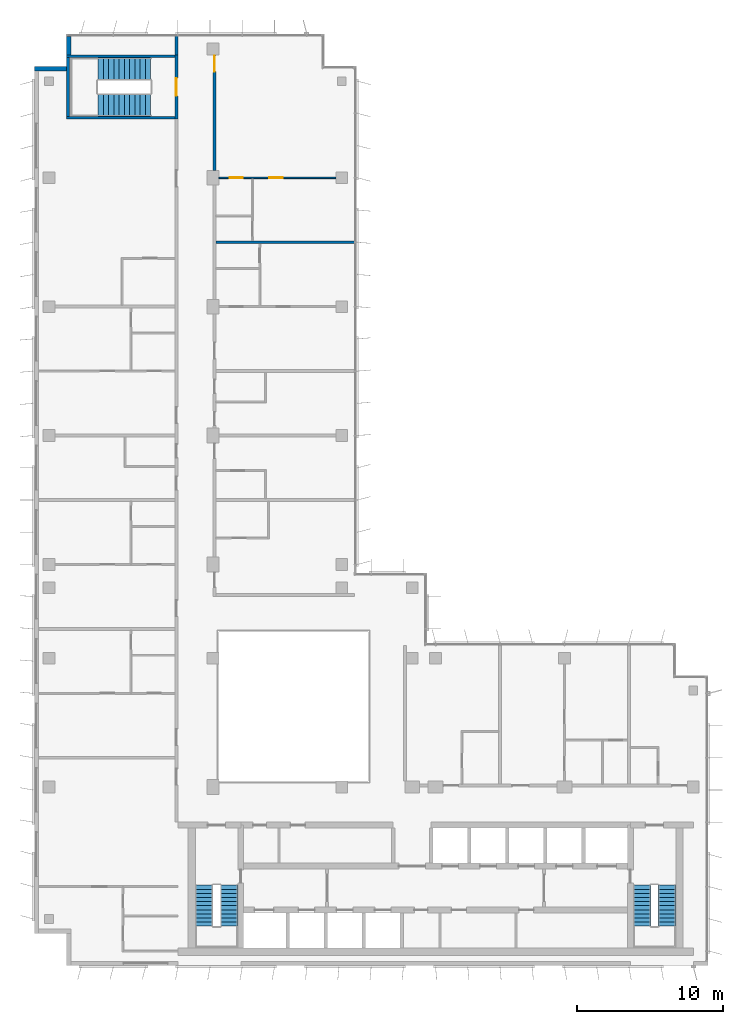
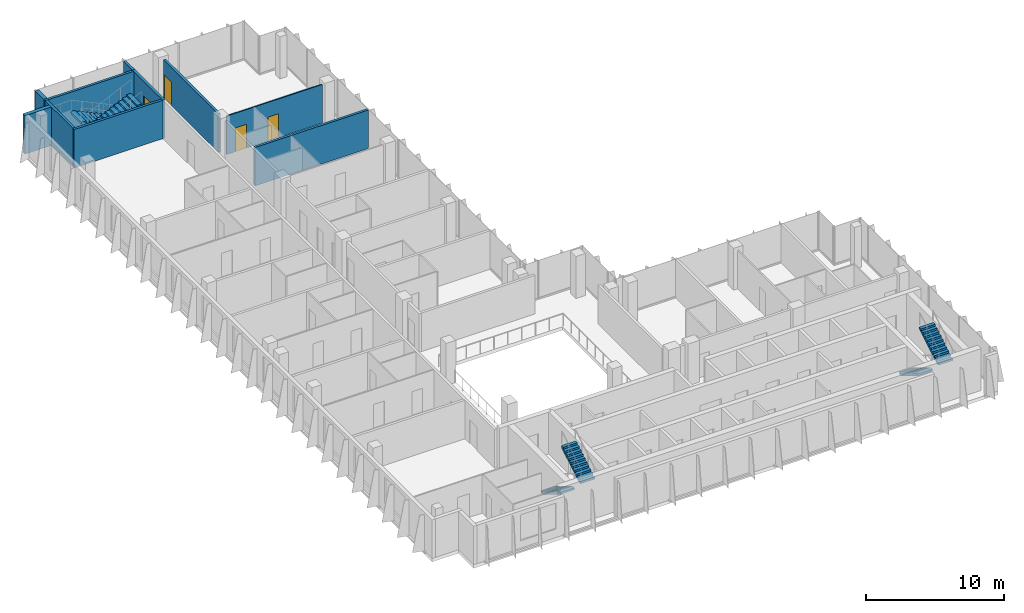
# One storey, part 13 of 16: 10 walls, 6 stair flights, 4 doors, 4 openings, 3 elements without a shape of their own.
"""IFC4 building model written with IfcOpenShell, lengths in metres."""

from ifc_helpers import new_model, si_unit, direction, frame, frame_2d, origin, place, context, subcontext, project, spatial, polyline, rectangle, outline, extrude, material, layer, layer_set, type_object, element, fill, aggregate, save


model = new_model("IFC4")

# Units and contexts
model_context = context("Model", 3, precision=1e-05, world=origin(), true_north=direction((0.0, 1.0)))
body_context = subcontext(model_context, "Body", "Model", "MODEL_VIEW")
ifc_project = project(units=[si_unit("LENGTHUNIT", "METRE"), si_unit("AREAUNIT", "SQUARE_METRE"), si_unit("VOLUMEUNIT", "CUBIC_METRE"), si_unit("PLANEANGLEUNIT", "RADIAN"), si_unit("MASSUNIT", "GRAM", prefix="KILO")], contexts=[model_context])

# Site, building, storey
site_placement = place(None, origin())
site = spatial("IfcSite", under=ifc_project, at=site_placement, CompositionType="ELEMENT")
building_placement = place(site_placement, origin())
building = spatial("IfcBuilding", under=site, at=building_placement, Name="Kemantara Hotel Tower", CompositionType="ELEMENT")
storey_placement = place(building_placement, frame((0.0, 0.0, 287.0)))
storey = spatial("IfcBuildingStorey", under=building, at=storey_placement, Name="L72", CompositionType="ELEMENT", Elevation=287.0)

# Walls
ifc_material_1 = material(Name="Bronze anodised aluminium cladding on insulated steel stud wall", Category="steel")
ifc_layer_1 = layer(ifc_material_1, 0.300048828125)
ifc_layer_set_1 = layer_set([ifc_layer_1], Name="Bronze anodised aluminium cladding on insulated steel stud wall")
wall_type_1 = type_object("IfcWallType", Name="BRONZE METAL-CLAD EXTERNAL WALL 300", PredefinedType="STANDARD", material=ifc_layer_set_1)
wall_1_placement = place(storey_placement, frame((2.35009765625, 63.449951171875, 0.0), z_axis=(0.0, 0.0, 1.0), x_axis=(0.0, -1.0, 0.0)))
element("IfcWall", 1, at=wall_1_placement, inside=storey, type_object=wall_type_1, Name="EXTERNAL WALL L72 T4-R03", PredefinedType="STANDARD", context=body_context, shape_type="SweptSolid", body=[
    extrude(rectangle(XDim=1.25, YDim=0.300048828125, at=frame_2d((0.625, 0.0))), origin(), (0.0, 0.0, 1.0), 3.39990234375),
])
wall_2_placement = place(storey_placement, frame((2.199951171875, 61.25, 0.0), z_axis=(0.0, 0.0, 1.0), x_axis=(-1.0, 0.0, 0.0)))
element("IfcWall", 2, at=wall_2_placement, inside=storey, type_object=wall_type_1, Name="EXTERNAL WALL L72 T4-R04", PredefinedType="STANDARD", context=body_context, shape_type="SweptSolid", body=[
    extrude(rectangle(XDim=2.199951171875, YDim=0.300048828125, at=frame_2d((1.10009765625, 0.0))), origin(), (0.0, 0.0, 1.0), 3.39990234375),
])
ifc_material_2 = material(Name="Gypsum board partition, steel studs and mineral wool, 200 mm", Category="steel")
ifc_layer_2 = layer(ifc_material_2, 0.199951171875)
ifc_layer_set_2 = layer_set([ifc_layer_2], Name="Gypsum board partition, steel studs and mineral wool, 200 mm")
wall_type_2 = type_object("IfcWallType", Name="CORRIDOR WALL 200", PredefinedType="PARTITIONING", material=ifc_layer_set_2)
wall_3_placement = place(storey_placement, frame((9.699951171875, 62.199951171875, 0.0), z_axis=(0.0, 0.0, 1.0), x_axis=(0.0, 1.0, 0.0)))
element("IfcWall", 3, at=wall_3_placement, inside=storey, type_object=wall_type_2, Name="CORRIDOR WALL 200 008", PredefinedType="PARTITIONING", context=body_context, shape_type="SweptSolid", body=[
    extrude(rectangle(XDim=1.280029296875, YDim=0.199951171875, at=frame_2d((0.64013671875, 0.0))), origin(), (0.0, 0.0, 1.0), 3.39990234375),
])

# Wall, opening, door
wall_4_placement = place(storey_placement, frame((12.300048828125, 62.199951171875, 0.0), z_axis=(0.0, 0.0, 1.0), x_axis=(0.0, -1.0, 0.0)))
wall_4 = element("IfcWall", 4, at=wall_4_placement, inside=storey, type_object=wall_type_2, Name="CORRIDOR WALL 200 020", PredefinedType="PARTITIONING", context=body_context, shape_type="SweptSolid", body=[
    extrude(rectangle(XDim=7.89990234375, YDim=0.199951171875, at=frame_2d((3.949951171875, 0.0))), origin(), (0.0, 0.0, 1.0), 3.39990234375),
])
opening_1_placement = place(wall_4_placement, frame((0.0498046875, 0.0, 0.0)))
opening_1 = element("IfcOpeningElement", 5, at=opening_1_placement, cuts=wall_4, Name="Opening F35-039", PredefinedType="OPENING", context=body_context, shape_type="SweptSolid", body=[
    extrude(rectangle(XDim=1.10009765625, YDim=2.10009765625, at=frame_2d((0.550048828125, 1.050048828125))), frame((0.0, 0.10986328125, 0.0), z_axis=(0.0, -1.0, 0.0), x_axis=(1.0, 0.0, 0.0)), (0.0, 0.0, 1.0), 0.219970703125),
])
ifc_material_3 = material(Name="Hardwood veneer door leaf with steel frame", Category="steel")
door_type_1 = type_object("IfcDoorType", Name="SUITE ENTRANCE DOOR 1100 X 2100 FD30S", OperationType="NOTDEFINED", PredefinedType="DOOR", material=ifc_material_3)
door_1_placement = place(opening_1_placement, origin())
door_1 = element("IfcDoor", 6, at=door_1_placement, inside=storey, type_object=door_type_1, Name="SUITE ENTRANCE DOOR F35-039", OperationType="SINGLE_SWING_LEFT", OverallHeight=2.10009765625, OverallWidth=1.10009765625, PredefinedType="DOOR", context=body_context, shape_type="SweptSolid", body=[
    extrude(rectangle(XDim=1.10009765625, YDim=2.10009765625, at=frame_2d((0.550048828125, 1.050048828125))), frame((0.0, 0.02490234375, 0.0), z_axis=(0.0, -1.0, 0.0), x_axis=(1.0, 0.0, 0.0)), (0.0, 0.0, 1.0), 0.050048828125),
])
fill(opening_1, door_1)

ifc_material_4 = material(Name="Concrete fc 40 MPa", Category="concrete")
ifc_layer_3 = layer(ifc_material_4, 0.199951171875)
ifc_layer_set_3 = layer_set([ifc_layer_3], Name="Concrete fc 40 MPa")
wall_type_3 = type_object("IfcWallType", Name="Concrete stair wall 200 mm", PredefinedType="SHEAR", material=ifc_layer_set_3)
wall_5_placement = place(storey_placement, frame((9.699951171875, 57.800048828125, 0.0), z_axis=(0.0, 0.0, 1.0), x_axis=(0.0, 1.0, 0.0)))
wall_5 = element("IfcWall", 7, at=wall_5_placement, inside=storey, type_object=wall_type_3, Name="Stair ST4 enclosure wall with door", PredefinedType="SHEAR", context=body_context, shape_type="SweptSolid", body=[
    extrude(rectangle(XDim=4.39990234375, YDim=0.199951171875, at=frame_2d((2.199951171875, 0.0))), origin(), (0.0, 0.0, 1.0), 3.39990234375),
])
opening_2_placement = place(wall_5_placement, frame((1.60009765625, 0.0, 0.0)))
opening_2 = element("IfcOpeningElement", 8, at=opening_2_placement, cuts=wall_5, Name="Opening ST4-C", PredefinedType="OPENING", context=body_context, shape_type="SweptSolid", body=[
    extrude(rectangle(XDim=1.199951171875, YDim=2.10009765625, at=frame_2d((0.60009765625, 1.050048828125))), frame((0.0, 0.10986328125, 0.0), z_axis=(0.0, -1.0, 0.0), x_axis=(1.0, 0.0, 0.0)), (0.0, 0.0, 1.0), 0.219970703125),
])
ifc_material_5 = material(Name="Steel fire door", Category="steel")
door_type_2 = type_object("IfcDoorType", Name="Fire door FD90 1200 x 2100", OperationType="NOTDEFINED", PredefinedType="DOOR", material=ifc_material_5)
door_2_placement = place(opening_2_placement, origin())
door_2 = element("IfcDoor", 9, at=door_2_placement, inside=storey, type_object=door_type_2, Name="Stair ST4 door", OperationType="SINGLE_SWING_RIGHT", OverallHeight=2.10009765625, OverallWidth=1.199951171875, PredefinedType="DOOR", context=body_context, shape_type="SweptSolid", body=[
    extrude(rectangle(XDim=1.199951171875, YDim=2.10009765625, at=frame_2d((0.60009765625, 1.050048828125))), frame((0.0, 0.02490234375, 0.0), z_axis=(0.0, -1.0, 0.0), x_axis=(1.0, 0.0, 0.0)), (0.0, 0.0, 1.0), 0.050048828125),
])
fill(opening_2, door_2)

# Walls
for number, where, z_axis, x_axis, name in (
    (10, (2.199951171875, 62.10009765625, 0.0), (0.0, 0.0, 1.0), (1.0, 0.0, 0.0), "Stair ST4 enclosure wall N"),
    (11, (2.199951171875, 57.89990234375, 0.0), (0.0, 0.0, 1.0), (1.0, 0.0, 0.0), "Stair ST4 enclosure wall S"),
):
    element("IfcWall", number, at=place(storey_placement, frame(where, z_axis=z_axis, x_axis=x_axis)), inside=storey, type_object=wall_type_3, Name=name, PredefinedType="SHEAR", context=body_context, shape_type="SweptSolid", body=[
        extrude(rectangle(XDim=7.400146484375, YDim=0.199951171875, at=frame_2d((3.7001953125, 0.0))), origin(), (0.0, 0.0, 1.0), 3.39990234375),
    ])
wall_6_placement = place(storey_placement, frame((2.300048828125, 58.0, 0.0), z_axis=(0.0, 0.0, 1.0), x_axis=(0.0, 1.0, 0.0)))
element("IfcWall", 12, at=wall_6_placement, inside=storey, type_object=wall_type_3, Name="Stair ST4 enclosure wall W", PredefinedType="SHEAR", context=body_context, shape_type="SweptSolid", body=[
    extrude(rectangle(XDim=4.0, YDim=0.199951171875, at=frame_2d((2.0, 0.0))), origin(), (0.0, 0.0, 1.0), 3.39990234375),
])
ifc_layer_4 = layer(ifc_material_2, 0.199951171875)
ifc_layer_set_4 = layer_set([ifc_layer_4], Name="Gypsum board partition, steel studs and mineral wool, 200 mm")
wall_type_4 = type_object("IfcWallType", Name="GUEST ROOM PARTY WALL 200", PredefinedType="PARTITIONING", material=ifc_layer_set_4)
wall_7_placement = place(storey_placement, frame((12.39990234375, 49.39990234375, 0.0), z_axis=(0.0, 0.0, 1.0), x_axis=(1.0, 0.0, 0.0)))
element("IfcWall", 13, at=wall_7_placement, inside=storey, type_object=wall_type_4, Name="GUEST ROOM PARTY WALL 200 023", PredefinedType="PARTITIONING", context=body_context, shape_type="SweptSolid", body=[
    extrude(rectangle(XDim=9.47021484375, YDim=0.199951171875, at=frame_2d((4.735107421875, 0.0))), origin(), (0.0, 0.0, 1.0), 3.39990234375),
])

# Wall, openings, doors
ifc_material_6 = material(Name="Gypsum board partition on steel studs, 100 mm", Category="steel")
ifc_layer_5 = layer(ifc_material_6, 0.10009765625)
ifc_layer_set_5 = layer_set([ifc_layer_5], Name="Gypsum board partition on steel studs, 100 mm")
wall_type_5 = type_object("IfcWallType", Name="ROOM PARTITION 100", PredefinedType="PARTITIONING", material=ifc_layer_set_5)
wall_8_placement = place(storey_placement, frame((12.60009765625, 53.800048828125, 0.0), z_axis=(0.0, 0.0, 1.0), x_axis=(1.0, 0.0, 0.0)))
wall_8 = element("IfcWall", 14, at=wall_8_placement, inside=storey, type_object=wall_type_5, Name="ROOM PARTITION 100 058", PredefinedType="PARTITIONING", context=body_context, shape_type="SweptSolid", body=[
    extrude(rectangle(XDim=7.999755859375, YDim=0.10009765625, at=frame_2d((4.0, 0.0))), origin(), (0.0, 0.0, 1.0), 3.39990234375),
])
opening_3_placement = place(wall_8_placement, frame((0.75, 0.0, 0.0)))
opening_3 = element("IfcOpeningElement", 15, at=opening_3_placement, cuts=wall_8, Name="Opening F35-040", PredefinedType="OPENING", context=body_context, shape_type="SweptSolid", body=[
    extrude(rectangle(XDim=0.89990234375, YDim=2.10009765625, at=frame_2d((0.449951171875, 1.050048828125))), frame((0.0, 0.06005859375, 0.0), z_axis=(0.0, -1.0, 0.0), x_axis=(1.0, 0.0, 0.0)), (0.0, 0.0, 1.0), 0.1201171875),
])
opening_4_placement = place(wall_8_placement, frame((3.449951171875, 0.0, 0.0)))
opening_4 = element("IfcOpeningElement", 16, at=opening_4_placement, cuts=wall_8, Name="Opening F35-041", PredefinedType="OPENING", context=body_context, shape_type="SweptSolid", body=[
    extrude(rectangle(XDim=0.89990234375, YDim=2.10009765625, at=frame_2d((0.449951171875, 1.050048828125))), frame((0.0, 0.06005859375, 0.0), z_axis=(0.0, -1.0, 0.0), x_axis=(1.0, 0.0, 0.0)), (0.0, 0.0, 1.0), 0.1201171875),
])
door_type_3 = type_object("IfcDoorType", Name="INTERNAL DOOR 900 X 2100", OperationType="NOTDEFINED", PredefinedType="DOOR", material=ifc_material_3)
door_3_placement = place(opening_4_placement, frame((0.89990234375, 0.0, 0.0), z_axis=(0.0, 0.0, 1.0), x_axis=(-1.0, 0.0, 0.0)))
door_3 = element("IfcDoor", 17, at=door_3_placement, inside=storey, type_object=door_type_3, Name="INTERNAL DOOR F35-041", OperationType="SINGLE_SWING_LEFT", OverallHeight=2.10009765625, OverallWidth=0.89990234375, PredefinedType="DOOR", context=body_context, shape_type="SweptSolid", body=[
    extrude(rectangle(XDim=0.89990234375, YDim=2.10009765625, at=frame_2d((0.449951171875, 1.050048828125))), frame((0.0, 0.02490234375, 0.0), z_axis=(0.0, -1.0, 0.0), x_axis=(1.0, 0.0, 0.0)), (0.0, 0.0, 1.0), 0.050048828125),
])
fill(opening_4, door_3)
door_type_4 = type_object("IfcDoorType", Name="PANTRY DOOR 900 X 2100", OperationType="NOTDEFINED", PredefinedType="DOOR", material=ifc_material_3)
door_4_placement = place(opening_3_placement, origin())
door_4 = element("IfcDoor", 18, at=door_4_placement, inside=storey, type_object=door_type_4, Name="PANTRY DOOR F35-040", OperationType="SINGLE_SWING_LEFT", OverallHeight=2.10009765625, OverallWidth=0.89990234375, PredefinedType="DOOR", context=body_context, shape_type="SweptSolid", body=[
    extrude(rectangle(XDim=0.89990234375, YDim=2.10009765625, at=frame_2d((0.449951171875, 1.050048828125))), frame((0.0, 0.02490234375, 0.0), z_axis=(0.0, -1.0, 0.0), x_axis=(1.0, 0.0, 0.0)), (0.0, 0.0, 1.0), 0.050048828125),
])
fill(opening_3, door_4)

# Stair, stair flights
stair_type_1 = type_object("IfcStairType", Name="Stair 1200 wide 22 risers of 168 x 280 mm", PredefinedType="HALF_TURN_STAIR", material=ifc_material_4)
stair_1_placement = place(storey_placement, origin())
stair_1 = element("IfcStair", 19, at=stair_1_placement, inside=storey, type_object=stair_type_1, Name="L72 Exit stair ST1", PredefinedType="HALF_TURN_STAIR")
stair_flight_type_1 = type_object("IfcStairFlightType", Name="Stair flight 1200 wide 168 x 280 mm", PredefinedType="STRAIGHT", material=ifc_material_4)
stair_flight_1_placement = place(storey_placement, frame((11.60009765625, 5.5, 0.0), z_axis=(0.0, 0.0, 1.0), x_axis=(0.0, -1.0, 0.0)))
stair_flight_1 = element("IfcStairFlight", 20, at=stair_flight_1_placement, type_object=stair_flight_type_1, Name="ST1 flight 1", NumberOfRisers=11, NumberOfTreads=10, PredefinedType="STRAIGHT", RiserHeight=0.168181818, TreadLength=0.28, context=body_context, shape_type="SweptSolid", body=[
    extrude(outline(polyline([(0.0, 0.0), (0.0, 0.168212890625), (0.280029296875, 0.168212890625), (0.280029296875, 0.33642578125), (0.56005859375, 0.33642578125), (0.56005859375, 0.504638671875), (0.840087890625, 0.504638671875), (0.840087890625, 0.672607421875), (1.1201171875, 0.672607421875), (1.1201171875, 0.8408203125), (1.39990234375, 0.8408203125), (1.39990234375, 1.009033203125), (1.679931640625, 1.009033203125), (1.679931640625, 1.17724609375), (1.9599609375, 1.17724609375), (1.9599609375, 1.345458984375), (2.239990234375, 1.345458984375), (2.239990234375, 1.513671875), (2.52001953125, 1.513671875), (2.52001953125, 1.681884765625), (2.800048828125, 1.681884765625), (2.800048828125, 1.85009765625), (2.800048828125, 1.5068359375), (0.291015625, 0.0), (0.0, 0.0)])), frame((0.0, 0.60009765625, 0.0), z_axis=(0.0, -1.0, 0.0), x_axis=(1.0, 0.0, 0.0)), (0.0, 0.0, 1.0), 1.199951171875),
])
stair_flight_2_placement = place(storey_placement, frame((13.300048828125, 2.699951171875, 1.85009765625), z_axis=(0.0, 0.0, 1.0), x_axis=(0.0, 1.0, 0.0)))
stair_flight_2 = element("IfcStairFlight", 21, at=stair_flight_2_placement, type_object=stair_flight_type_1, Name="ST1 flight 2", NumberOfRisers=11, NumberOfTreads=10, PredefinedType="STRAIGHT", RiserHeight=0.168181818, TreadLength=0.28, context=body_context, shape_type="SweptSolid", body=[
    extrude(outline(polyline([(0.0, 0.0), (0.0, 0.168212890625), (0.280029296875, 0.168212890625), (0.280029296875, 0.33642578125), (0.56005859375, 0.33642578125), (0.56005859375, 0.504638671875), (0.840087890625, 0.504638671875), (0.840087890625, 0.672607421875), (1.1201171875, 0.672607421875), (1.1201171875, 0.8408203125), (1.39990234375, 0.8408203125), (1.39990234375, 1.009033203125), (1.679931640625, 1.009033203125), (1.679931640625, 1.17724609375), (1.9599609375, 1.17724609375), (1.9599609375, 1.345458984375), (2.239990234375, 1.345458984375), (2.239990234375, 1.513671875), (2.52001953125, 1.513671875), (2.52001953125, 1.681884765625), (2.800048828125, 1.681884765625), (2.800048828125, 1.85009765625), (2.800048828125, 1.5068359375), (0.291015625, 0.0), (0.0, 0.0)])), frame((0.0, 0.60009765625, 0.0), z_axis=(0.0, -1.0, 0.0), x_axis=(1.0, 0.0, 0.0)), (0.0, 0.0, 1.0), 1.199951171875),
])
aggregate(stair_1, [stair_flight_1, stair_flight_2])

stair_2_placement = place(storey_placement, origin())
stair_2 = element("IfcStair", 22, at=stair_2_placement, inside=storey, type_object=stair_type_1, Name="L72 Exit stair ST2", PredefinedType="HALF_TURN_STAIR")
stair_flight_3_placement = place(storey_placement, frame((41.5, 5.5, 0.0), z_axis=(0.0, 0.0, 1.0), x_axis=(0.0, -1.0, 0.0)))
stair_flight_3 = element("IfcStairFlight", 23, at=stair_flight_3_placement, type_object=stair_flight_type_1, Name="ST2 flight 1", NumberOfRisers=11, NumberOfTreads=10, PredefinedType="STRAIGHT", RiserHeight=0.168181818, TreadLength=0.28, context=body_context, shape_type="SweptSolid", body=[
    extrude(outline(polyline([(0.0, 0.0), (0.0, 0.168212890625), (0.280029296875, 0.168212890625), (0.280029296875, 0.33642578125), (0.56005859375, 0.33642578125), (0.56005859375, 0.504638671875), (0.840087890625, 0.504638671875), (0.840087890625, 0.672607421875), (1.1201171875, 0.672607421875), (1.1201171875, 0.8408203125), (1.39990234375, 0.8408203125), (1.39990234375, 1.009033203125), (1.679931640625, 1.009033203125), (1.679931640625, 1.17724609375), (1.9599609375, 1.17724609375), (1.9599609375, 1.345458984375), (2.239990234375, 1.345458984375), (2.239990234375, 1.513671875), (2.52001953125, 1.513671875), (2.52001953125, 1.681884765625), (2.800048828125, 1.681884765625), (2.800048828125, 1.85009765625), (2.800048828125, 1.5068359375), (0.291015625, 0.0), (0.0, 0.0)])), frame((0.0, 0.60009765625, 0.0), z_axis=(0.0, -1.0, 0.0), x_axis=(1.0, 0.0, 0.0)), (0.0, 0.0, 1.0), 1.199951171875),
])
stair_flight_4_placement = place(storey_placement, frame((43.199951171875, 2.699951171875, 1.85009765625), z_axis=(0.0, 0.0, 1.0), x_axis=(0.0, 1.0, 0.0)))
stair_flight_4 = element("IfcStairFlight", 24, at=stair_flight_4_placement, type_object=stair_flight_type_1, Name="ST2 flight 2", NumberOfRisers=11, NumberOfTreads=10, PredefinedType="STRAIGHT", RiserHeight=0.168181818, TreadLength=0.28, context=body_context, shape_type="SweptSolid", body=[
    extrude(outline(polyline([(0.0, 0.0), (0.0, 0.168212890625), (0.280029296875, 0.168212890625), (0.280029296875, 0.33642578125), (0.56005859375, 0.33642578125), (0.56005859375, 0.504638671875), (0.840087890625, 0.504638671875), (0.840087890625, 0.672607421875), (1.1201171875, 0.672607421875), (1.1201171875, 0.8408203125), (1.39990234375, 0.8408203125), (1.39990234375, 1.009033203125), (1.679931640625, 1.009033203125), (1.679931640625, 1.17724609375), (1.9599609375, 1.17724609375), (1.9599609375, 1.345458984375), (2.239990234375, 1.345458984375), (2.239990234375, 1.513671875), (2.52001953125, 1.513671875), (2.52001953125, 1.681884765625), (2.800048828125, 1.681884765625), (2.800048828125, 1.85009765625), (2.800048828125, 1.5068359375), (0.291015625, 0.0), (0.0, 0.0)])), frame((0.0, 0.60009765625, 0.0), z_axis=(0.0, -1.0, 0.0), x_axis=(1.0, 0.0, 0.0)), (0.0, 0.0, 1.0), 1.199951171875),
])
aggregate(stair_2, [stair_flight_3, stair_flight_4])

stair_type_2 = type_object("IfcStairType", Name="Stair 1550 wide 22 risers of 168 x 360 mm", PredefinedType="HALF_TURN_STAIR", material=ifc_material_4)
stair_3_placement = place(storey_placement, origin())
stair_3 = element("IfcStair", 25, at=stair_3_placement, inside=storey, type_object=stair_type_2, Name="L72 Exit stair ST4", PredefinedType="HALF_TURN_STAIR")
stair_flight_type_2 = type_object("IfcStairFlightType", Name="Stair flight 1550 wide 168 x 360 mm", PredefinedType="STRAIGHT", material=ifc_material_4)
stair_flight_5_placement = place(storey_placement, frame((7.949951171875, 61.22509765625, 0.0), z_axis=(0.0, 0.0, 1.0), x_axis=(-1.0, 0.0, 0.0)))
stair_flight_5 = element("IfcStairFlight", 26, at=stair_flight_5_placement, type_object=stair_flight_type_2, Name="ST4 flight 1", NumberOfRisers=11, NumberOfTreads=10, PredefinedType="STRAIGHT", RiserHeight=0.168181818, TreadLength=0.36, context=body_context, shape_type="SweptSolid", body=[
    extrude(outline(polyline([(0.0, 0.0), (0.0, 0.168212890625), (0.360107421875, 0.168212890625), (0.360107421875, 0.33642578125), (0.719970703125, 0.33642578125), (0.719970703125, 0.504638671875), (1.080078125, 0.504638671875), (1.080078125, 0.672607421875), (1.43994140625, 0.672607421875), (1.43994140625, 0.8408203125), (1.800048828125, 0.8408203125), (1.800048828125, 1.009033203125), (2.159912109375, 1.009033203125), (2.159912109375, 1.17724609375), (2.52001953125, 1.17724609375), (2.52001953125, 1.345458984375), (2.8798828125, 1.345458984375), (2.8798828125, 1.513671875), (3.239990234375, 1.513671875), (3.239990234375, 1.681884765625), (3.60009765625, 1.681884765625), (3.60009765625, 1.85009765625), (3.60009765625, 1.516357421875), (0.354248046875, 0.0), (0.0, 0.0)])), frame((0.0, 0.77490234375, 0.0), z_axis=(0.0, -1.0, 0.0), x_axis=(1.0, 0.0, 0.0)), (0.0, 0.0, 1.0), 1.550048828125),
])
stair_flight_6_placement = place(storey_placement, frame((4.35009765625, 58.77490234375, 1.85009765625), z_axis=(0.0, 0.0, 1.0), x_axis=(1.0, 0.0, 0.0)))
stair_flight_6 = element("IfcStairFlight", 27, at=stair_flight_6_placement, type_object=stair_flight_type_2, Name="ST4 flight 2", NumberOfRisers=11, NumberOfTreads=10, PredefinedType="STRAIGHT", RiserHeight=0.168181818, TreadLength=0.36, context=body_context, shape_type="SweptSolid", body=[
    extrude(outline(polyline([(0.0, 0.0), (0.0, 0.168212890625), (0.360107421875, 0.168212890625), (0.360107421875, 0.33642578125), (0.719970703125, 0.33642578125), (0.719970703125, 0.504638671875), (1.080078125, 0.504638671875), (1.080078125, 0.672607421875), (1.43994140625, 0.672607421875), (1.43994140625, 0.8408203125), (1.800048828125, 0.8408203125), (1.800048828125, 1.009033203125), (2.159912109375, 1.009033203125), (2.159912109375, 1.17724609375), (2.52001953125, 1.17724609375), (2.52001953125, 1.345458984375), (2.8798828125, 1.345458984375), (2.8798828125, 1.513671875), (3.239990234375, 1.513671875), (3.239990234375, 1.681884765625), (3.60009765625, 1.681884765625), (3.60009765625, 1.85009765625), (3.60009765625, 1.516357421875), (0.354248046875, 0.0), (0.0, 0.0)])), frame((0.0, 0.77490234375, 0.0), z_axis=(0.0, -1.0, 0.0), x_axis=(1.0, 0.0, 0.0)), (0.0, 0.0, 1.0), 1.550048828125),
])
aggregate(stair_3, [stair_flight_5, stair_flight_6])

save(model, "model.ifc")
